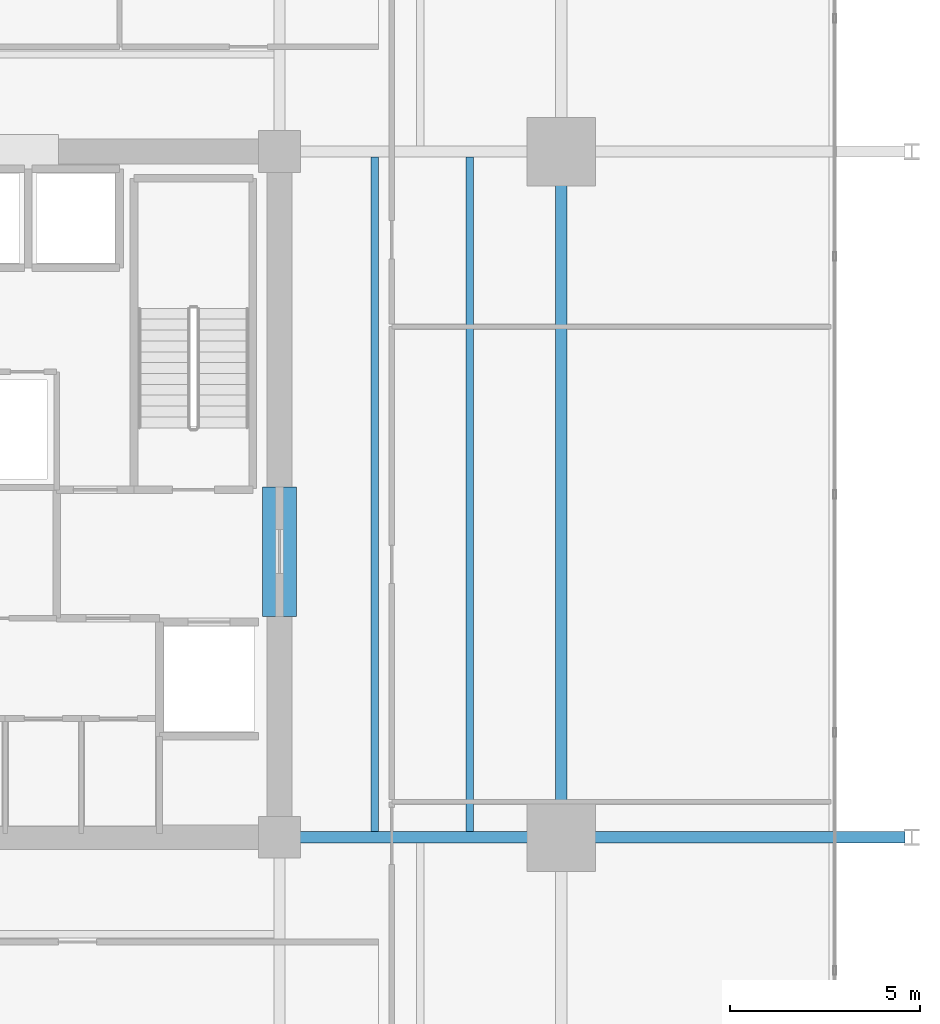
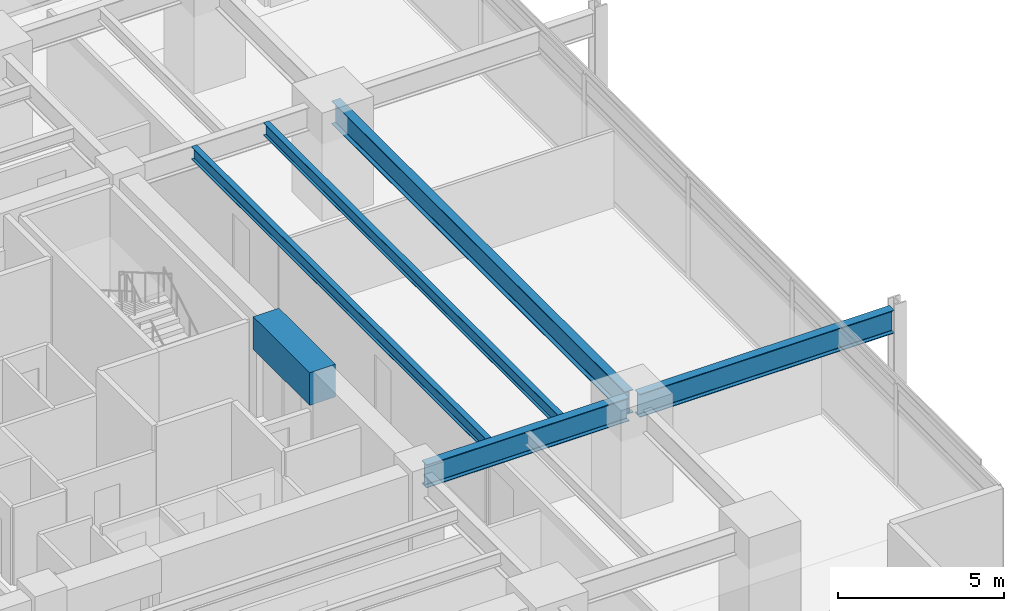
# One storey, part 3 of 22: 6 beams.
"""IFC4 building model written with IfcOpenShell, lengths in metres."""

from ifc_helpers import new_model, si_unit, direction, frame, origin, origin_2d, place, context, subcontext, project, spatial, rectangle, i_section, extrude, material, material_profile, profile_set, type_object, element, save


model = new_model("IFC4")

# Units and contexts
model_context = context("Model", 3, precision=1e-05, world=origin(), true_north=direction((0.0, 1.0)))
body_context = subcontext(model_context, "Body", "Model", "MODEL_VIEW")
ifc_project = project(units=[si_unit("LENGTHUNIT", "METRE"), si_unit("AREAUNIT", "SQUARE_METRE"), si_unit("VOLUMEUNIT", "CUBIC_METRE"), si_unit("PLANEANGLEUNIT", "RADIAN"), si_unit("MASSUNIT", "GRAM", prefix="KILO")], contexts=[model_context])

# Site, building, storey
site_placement = place(None, origin())
site = spatial("IfcSite", under=ifc_project, at=site_placement, CompositionType="ELEMENT")
building_placement = place(site_placement, origin())
building = spatial("IfcBuilding", under=site, at=building_placement, Name="Kovane Verandah Tower", CompositionType="ELEMENT")
storey_placement = place(building_placement, frame((0.0, 0.0, 51.60009765625)))
storey = spatial("IfcBuildingStorey", under=building, at=storey_placement, Name="L11", CompositionType="ELEMENT", Elevation=51.60009765625)

# Beams
ifc_material_1 = material(Name="Concrete C80/95", Category="concrete")
ifc_material_profile_1 = material_profile(ifc_material_1, rectangle(XDim=0.89990234375, YDim=1.199951171875, at=origin_2d()), Name="RCB900x1200")
ifc_profile_set_1 = profile_set([ifc_material_profile_1], Name="Concrete C80/95")
beam_type_1 = type_object("IfcBeamType", Name="BM-LINTEL-900x1200", PredefinedType="LINTEL", material=ifc_profile_set_1)
beam_1_placement = place(storey_placement, frame((51.0, 24.300048828125, 3.159912109375), z_axis=(0.0, 1.0, 0.0), x_axis=(-1.0, 0.0, 0.0)))
element("IfcBeam", 1, at=beam_1_placement, inside=storey, type_object=beam_type_1, Name="L11 Core Coupling Lintel CL-E", PredefinedType="LINTEL", context=body_context, shape_type="SweptSolid", body=[
    extrude(rectangle(XDim=0.89990234375, YDim=1.199951171875, at=origin_2d()), origin(), (0.0, 0.0, 1.0), 3.39990234375),
])
ifc_material_2 = material(Name="Steel S355", Category="steel")
ifc_material_profile_2 = material_profile(ifc_material_2, i_section(OverallWidth=0.293701171875, OverallDepth=0.850830078125, WebThickness=0.01611328125, FlangeThickness=0.02685546875, FilletRadius=0.017822265625, at=origin_2d()), Name="UB838x292x226")
ifc_profile_set_2 = profile_set([ifc_material_profile_2], Name="Steel S355")
beam_type_2 = type_object("IfcBeamType", Name="BM-UB838x226", PredefinedType="BEAM", material=ifc_profile_set_2)
beam_2_placement = place(storey_placement, frame((58.39990234375, 18.679931640625, 3.33447265625), z_axis=(0.0, 1.0, 0.0), x_axis=(-1.0, 0.0, 0.0)))
element("IfcBeam", 2, at=beam_2_placement, inside=storey, type_object=beam_type_2, Name="L11 Primary Tower Girder G-RE2", PredefinedType="BEAM", context=body_context, shape_type="SweptSolid", body=[
    extrude(i_section(OverallWidth=0.293701171875, OverallDepth=0.850830078125, WebThickness=0.01611328125, FlangeThickness=0.02685546875, FilletRadius=0.017822265625, at=origin_2d()), origin(), (0.0, 0.0, 1.0), 17.64013671875),
])
beam_3_placement = place(storey_placement, frame((51.179931640625, 18.5, 3.33447265625), z_axis=(1.0, 0.0, 0.0), x_axis=(0.0, 1.0, 0.0)))
element("IfcBeam", 3, at=beam_3_placement, inside=storey, type_object=beam_type_2, Name="L11 Primary Tower Girder G-E1", PredefinedType="BEAM", context=body_context, shape_type="SweptSolid", body=[
    extrude(i_section(OverallWidth=0.293701171875, OverallDepth=0.850830078125, WebThickness=0.01611328125, FlangeThickness=0.02685546875, FilletRadius=0.017822265625, at=origin_2d()), origin(), (0.0, 0.0, 1.0), 7.0400390625),
])
beam_4_placement = place(storey_placement, frame((58.580078125, 18.5, 3.33447265625), z_axis=(1.0, 0.0, 0.0), x_axis=(0.0, 1.0, 0.0)))
element("IfcBeam", 4, at=beam_4_placement, inside=storey, type_object=beam_type_2, Name="L11 Primary Tower Girder G-VE1", PredefinedType="BEAM", context=body_context, shape_type="SweptSolid", body=[
    extrude(i_section(OverallWidth=0.293701171875, OverallDepth=0.850830078125, WebThickness=0.01611328125, FlangeThickness=0.02685546875, FilletRadius=0.017822265625, at=origin_2d()), origin(), (0.0, 0.0, 1.0), 8.83984375),
])
ifc_material_profile_3 = material_profile(ifc_material_2, i_section(OverallWidth=0.19287109375, OverallDepth=0.46728515625, WebThickness=0.011474609375, FlangeThickness=0.01953125, FilletRadius=0.01025390625, at=origin_2d()), Name="UB457x191x98")
ifc_profile_set_3 = profile_set([ifc_material_profile_3], Name="Steel S355")
beam_type_3 = type_object("IfcBeamType", Name="JST-UB457x98", PredefinedType="JOIST", material=ifc_profile_set_3)
for number, where, z_axis, x_axis, name in (
    (5, (53.5, 18.64501953125, 3.5263671875), (0.0, 1.0, 0.0), (-1.0, 0.0, 0.0), "L11 Secondary Composite Joist J-E1"),
    (6, (56.0, 18.64501953125, 3.5263671875), (0.0, 1.0, 0.0), (-1.0, 0.0, 0.0), "L11 Secondary Composite Joist J-E2"),
):
    element("IfcBeam", number, at=place(storey_placement, frame(where, z_axis=z_axis, x_axis=x_axis)), inside=storey, type_object=beam_type_3, Name=name, PredefinedType="JOIST", context=body_context, shape_type="SweptSolid", body=[
        extrude(i_section(OverallWidth=0.19287109375, OverallDepth=0.46728515625, WebThickness=0.011474609375, FlangeThickness=0.01953125, FilletRadius=0.01025390625, at=origin_2d()), origin(), (0.0, 0.0, 1.0), 17.7099609375),
    ])

save(model, "model.ifc")
